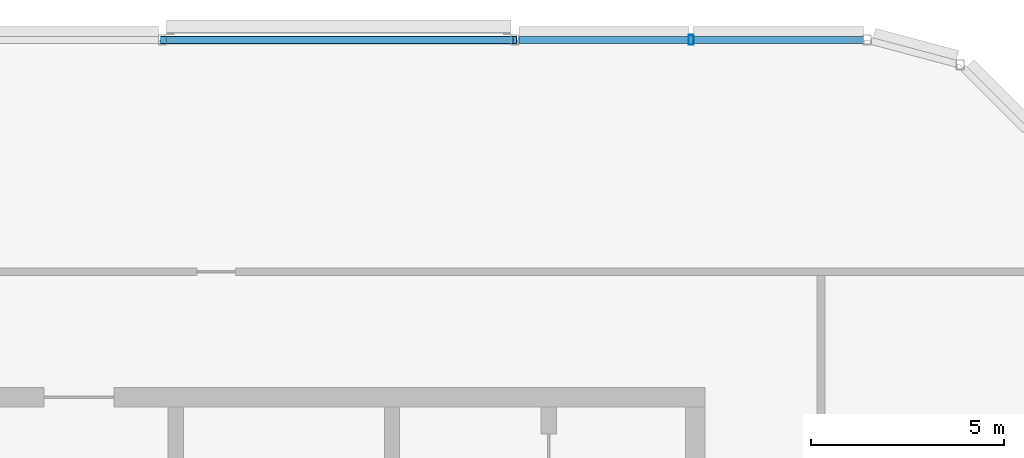
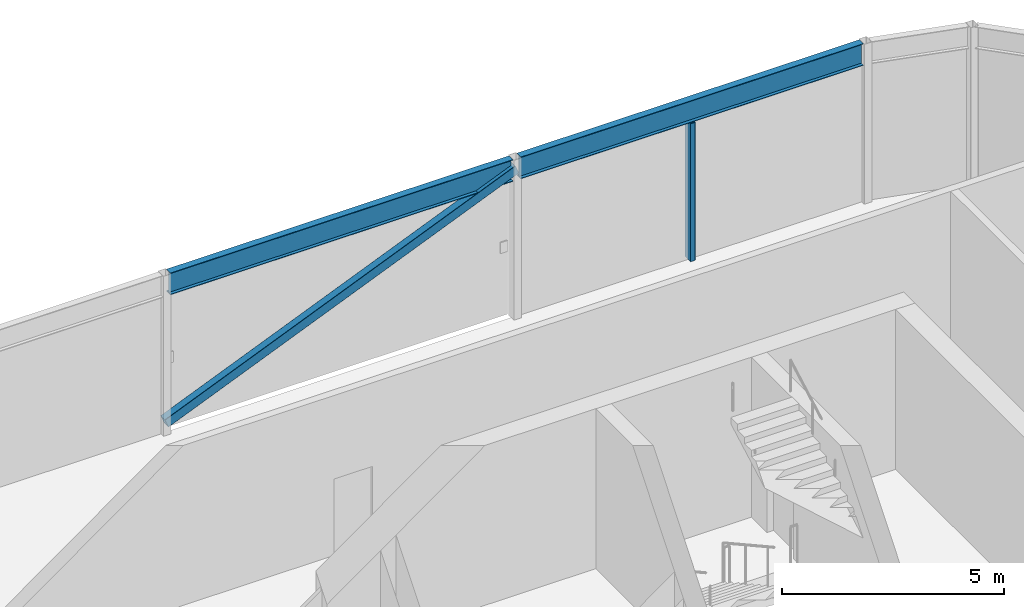
# One storey, part 13 of 27: 2 beams, 2 members.
"""IFC4 building model written with IfcOpenShell, lengths in metres."""

from ifc_helpers import new_model, si_unit, direction, frame, origin, origin_2d, place, context, subcontext, project, spatial, hollow_rectangle, i_section, extrude, material, material_profile, profile_set, type_object, element, save


model = new_model("IFC4")

# Units and contexts
model_context = context("Model", 3, precision=1e-05, world=origin(), true_north=direction((0.0, 1.0)))
body_context = subcontext(model_context, "Body", "Model", "MODEL_VIEW")
ifc_project = project(units=[si_unit("LENGTHUNIT", "METRE"), si_unit("AREAUNIT", "SQUARE_METRE"), si_unit("VOLUMEUNIT", "CUBIC_METRE"), si_unit("PLANEANGLEUNIT", "RADIAN"), si_unit("MASSUNIT", "GRAM", prefix="KILO")], contexts=[model_context])

# Site, building, storey
site_placement = place(None, origin())
site = spatial("IfcSite", under=ifc_project, at=site_placement, CompositionType="ELEMENT")
building_placement = place(site_placement, origin())
building = spatial("IfcBuilding", under=site, at=building_placement, Name="Madar Terraces", CompositionType="ELEMENT")
storey_placement = place(building_placement, frame((0.0, 0.0, 301.10009765625)))
storey = spatial("IfcBuildingStorey", under=building, at=storey_placement, Name="L78", CompositionType="ELEMENT", Elevation=301.10009765625)

# Beams
ifc_material_1 = material(Name="Steel ASTM A992 Grade 50", Category="steel")
ifc_material_profile_1 = material_profile(ifc_material_1, i_section(OverallWidth=0.1787109375, OverallDepth=0.60205078125, WebThickness=0.010986328125, FlangeThickness=0.014892578125, at=origin_2d()), Name="W24x62")
ifc_profile_set_1 = profile_set([ifc_material_profile_1], Name="Steel ASTM A992 Grade 50")
beam_type = type_object("IfcBeamType", Name="CF2 W24x62", PredefinedType="BEAM", material=ifc_profile_set_1)
for number, where, z_axis, x_axis, name in (
    (1, (51.498291015625, 46.800048828125, 4.098876953125), (-1.0, 0.0, 0.0), (0.0, -1.0, 0.0), "Crown frame ring beam CF2"),
    (2, (42.37841796875, 46.800048828125, 4.098876953125), (-1.0, 0.0, 0.0), (0.0, -1.0, 0.0), "Crown frame ring beam CF2"),
):
    element("IfcBeam", number, at=place(storey_placement, frame(where, z_axis=z_axis, x_axis=x_axis)), inside=storey, type_object=beam_type, Name=name, PredefinedType="BEAM", context=body_context, shape_type="SweptSolid", body=[
        extrude(i_section(OverallWidth=0.1787109375, OverallDepth=0.60205078125, WebThickness=0.010986328125, FlangeThickness=0.014892578125, at=origin_2d()), origin(), (0.0, 0.0, 1.0), 8.916748046875),
    ])

# Members
ifc_material_2 = material(Name="Steel ASTM A500 Grade C", Category="steel")
ifc_material_profile_2 = material_profile(ifc_material_2, hollow_rectangle(XDim=0.203125, YDim=0.25390625, WallThickness=0.009521484375, InnerFilletRadius=0.00439453125, OuterFilletRadius=0.01318359375, at=origin_2d()), Name="HSS10x8x.375")
ifc_profile_set_2 = profile_set([ifc_material_profile_2], Name="Steel ASTM A500 Grade C")
member_type_1 = type_object("IfcMemberType", Name="CF5 crown frame brace HSS10x8x.375", PredefinedType="BRACE", material=ifc_profile_set_2)
member_1_placement = place(storey_placement, frame((42.47998046875, 46.800048828125, 4.098876953125), z_axis=(-0.92310835805, 0.0, -0.384539931994), x_axis=(0.0, -1.0, 0.0)))
element("IfcMember", 3, at=member_1_placement, inside=storey, type_object=member_type_1, Name="Crown frame brace CF5", PredefinedType="BRACE", context=body_context, shape_type="SweptSolid", body=[
    extrude(hollow_rectangle(XDim=0.203125, YDim=0.25390625, WallThickness=0.009521484375, InnerFilletRadius=0.00439453125, OuterFilletRadius=0.01318359375, at=origin_2d()), origin(), (0.0, 0.0, 1.0), 9.879638671875),
])
ifc_material_3 = material(Name="Steel ASTM A500 Grade C", Category="steel")
ifc_material_profile_3 = material_profile(ifc_material_3, hollow_rectangle(XDim=0.126953125, YDim=0.25390625, WallThickness=0.00634765625, InnerFilletRadius=0.0029296875, OuterFilletRadius=0.0087890625, at=origin_2d()), Name="HSS10x5x.25")
ifc_profile_set_3 = profile_set([ifc_material_profile_3], Name="Steel ASTM A500 Grade C")
member_type_2 = type_object("IfcMemberType", Name="LS2 HSS10x5x.25", PredefinedType="POST", material=ifc_profile_set_3)
member_2_placement = place(storey_placement, frame((47.0400390625, 46.800048828125, 0.0), z_axis=(0.0, 0.0, 1.0), x_axis=(-1.0, 0.0, 0.0)))
element("IfcMember", 4, at=member_2_placement, inside=storey, type_object=member_type_2, Name="Crown louvre post LS2", PredefinedType="POST", context=body_context, shape_type="SweptSolid", body=[
    extrude(hollow_rectangle(XDim=0.126953125, YDim=0.25390625, WallThickness=0.00634765625, InnerFilletRadius=0.0029296875, OuterFilletRadius=0.0087890625, at=origin_2d()), origin(), (0.0, 0.0, 1.0), 3.7978515625),
])

save(model, "model.ifc")
